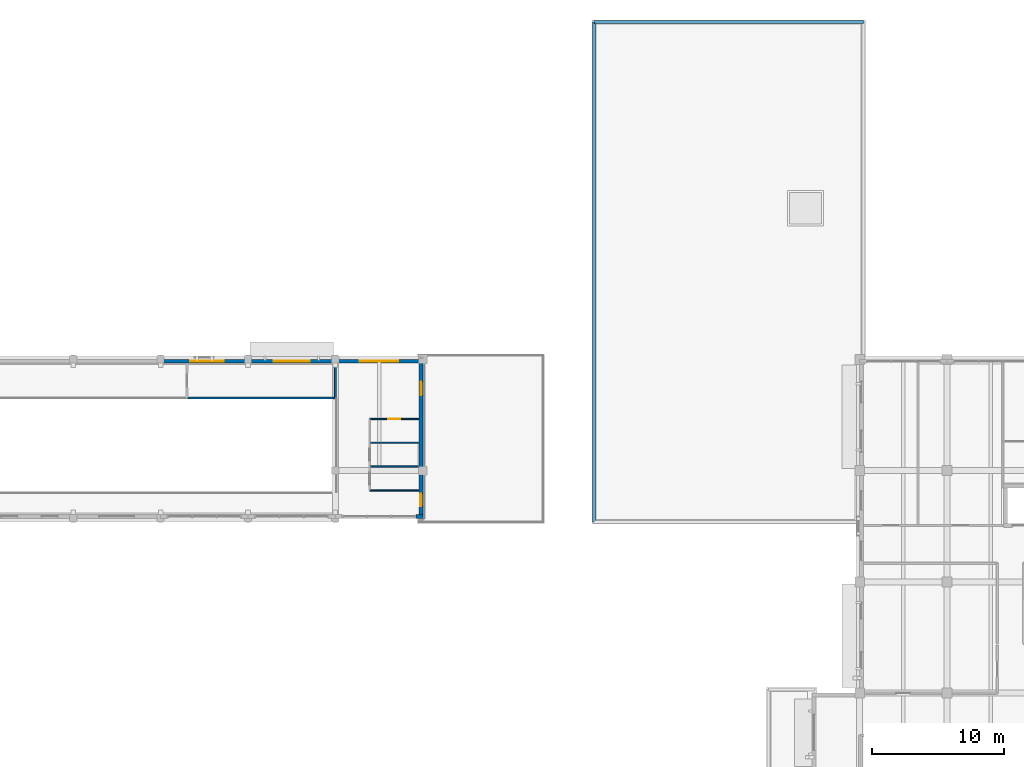
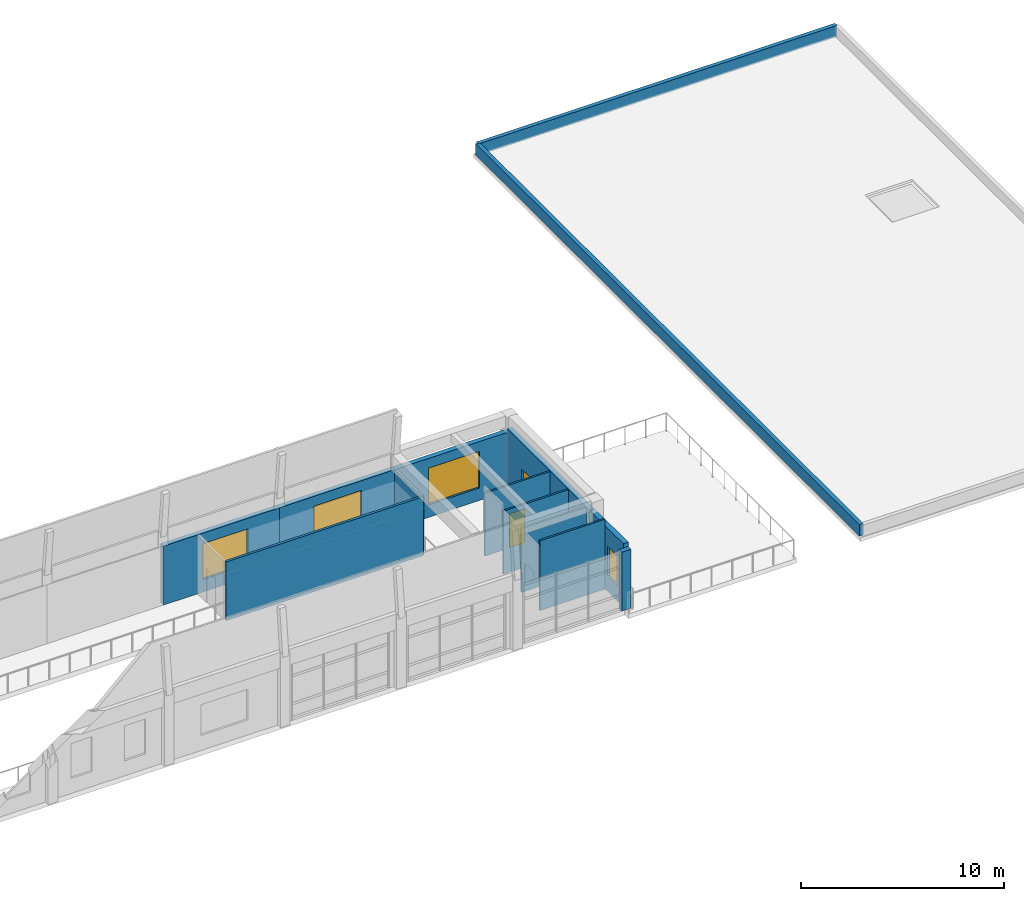
# One storey, part 31 of 50: 14 walls, 4 windows, 2 doors, 6 openings.
"""IFC4 building model written with IfcOpenShell, lengths in metres."""

import ifcopenshell
import ifcopenshell.guid

model = None  # the IFC model being written
_history = None  # IfcOwnerHistory: only IFC2X3 demands one
_inside = {}  # id of a spatial element -> (the spatial element, [elements in it])
_under = {}  # id of a project, library or spatial element -> (it, [spatial elements below it])
_declared = {}  # id of a project -> (the project, [libraries it declares])
_typed = {}  # id of a type object -> (the type object, [elements of that type])
_made_of = {}  # id of a material, layer set ... -> (it, [elements and type objects made of it])


def new_model(schema):
    """Start an empty IFC model of exactly this schema.

    Asked for "IFC4X3", IfcOpenShell would pick the latest addendum, in which some entities
    have other attributes; the version numbers below select the first issue.
    IFC2X3 requires an IfcOwnerHistory on every rooted entity: one is made here for all.
    """
    global model, _history
    if schema == "IFC4X3":
        model = ifcopenshell.file(schema_version=(4, 3, 0, 0))
    else:
        model = ifcopenshell.file(schema=schema)
    _inside.clear()
    _under.clear()
    _declared.clear()
    _typed.clear()
    _made_of.clear()
    _history = None
    if model.schema == "IFC2X3":
        org = make("IfcOrganization", Name="unknown")
        user = make(
            "IfcPersonAndOrganization",
            ThePerson=make("IfcPerson", FamilyName="unknown"),
            TheOrganization=org,
        )
        app = make(
            "IfcApplication",
            ApplicationDeveloper=org,
            Version="unknown",
            ApplicationFullName="unknown",
            ApplicationIdentifier="unknown",
        )
        _history = make(
            "IfcOwnerHistory",
            OwningUser=user,
            OwningApplication=app,
            ChangeAction="ADDED",
            CreationDate=0,
        )
    return model


def make(cls, **values):
    """One entity of the class cls with the attributes given. An attribute that is None is left unset."""
    return model.create_entity(
        cls, **{name: value for name, value in values.items() if value is not None}
    )


def rooted(cls, **values):
    """An entity with a GlobalId (a new one), such as an element, a storey or a relation."""
    return make(cls, GlobalId=ifcopenshell.guid.new(), OwnerHistory=_history, **values)


def si_unit(unit_type, name, prefix=None):
    """IfcSIUnit, for example si_unit("LENGTHUNIT", "METRE", prefix="MILLI")."""
    return make("IfcSIUnit", UnitType=unit_type, Prefix=prefix, Name=name)


def assignment(units):
    """IfcUnitAssignment: the units of a project."""
    return None if units is None else make("IfcUnitAssignment", Units=units)


def point(xyz):
    """IfcCartesianPoint."""
    return None if xyz is None else make("IfcCartesianPoint", Coordinates=xyz)


def direction(xyz):
    """IfcDirection."""
    return None if xyz is None else make("IfcDirection", DirectionRatios=xyz)


def frame(location, z_axis=None, x_axis=None):
    """IfcAxis2Placement3D, a coordinate frame: its origin and axes. An axis left out is left unset."""
    return make(
        "IfcAxis2Placement3D",
        Location=point(location),
        Axis=direction(z_axis),
        RefDirection=direction(x_axis),
    )


def frame_2d(location, x_axis=None):
    """IfcAxis2Placement2D, a coordinate frame in the plane: its origin and x axis."""
    return make(
        "IfcAxis2Placement2D", Location=point(location), RefDirection=direction(x_axis)
    )


def origin():
    """The frame at (0, 0, 0) with its axes left unset."""
    return frame((0.0, 0.0, 0.0))


def place(relative_to, where):
    """IfcLocalPlacement: puts the frame where relative to a parent placement (None: the world)."""
    return make(
        "IfcLocalPlacement", PlacementRelTo=relative_to, RelativePlacement=where
    )


def context(
    kind, dimensions, precision=None, world=None, true_north=None, identifier=None
):
    """IfcGeometricRepresentationContext, for example the 3D "Model" context."""
    return make(
        "IfcGeometricRepresentationContext",
        ContextIdentifier=identifier,
        ContextType=kind,
        CoordinateSpaceDimension=dimensions,
        Precision=precision,
        WorldCoordinateSystem=world,
        TrueNorth=true_north,
    )


def subcontext(parent, identifier, kind, view, scale=None):
    """IfcGeometricRepresentationSubContext, for example "Body" below "Model"."""
    return make(
        "IfcGeometricRepresentationSubContext",
        ContextIdentifier=identifier,
        ContextType=kind,
        ParentContext=parent,
        TargetScale=scale,
        TargetView=view,
    )


def project(units=None, contexts=None):
    """IfcProject with its units and contexts."""
    return rooted(
        "IfcProject",
        Name="project",
        RepresentationContexts=contexts,
        UnitsInContext=assignment(units),
    )


def spatial(cls, under=None, at=None, **own):
    """A site, building, storey or space (cls), placed at a placement, below another one or the project."""
    s = rooted(cls, ObjectPlacement=at, **own)
    if under is not None:
        _under.setdefault(under.id(), (under, []))[1].append(s)
    return s


def profile(cls, at=None, kind="AREA", **sizes):
    """A parametric profile (cls). Its sizes go by their IFC names, for example OverallWidth=200.0."""
    return make(cls, ProfileType=kind, Position=at, **sizes)


def rectangle(**sizes):
    """IfcRectangleProfileDef."""
    return profile("IfcRectangleProfileDef", **sizes)


def extrude(swept, where, along, depth):
    """IfcExtrudedAreaSolid: the profile swept, set in the frame where, extruded along a direction by depth."""
    return make(
        "IfcExtrudedAreaSolid",
        SweptArea=swept,
        Position=where,
        ExtrudedDirection=direction(along),
        Depth=depth,
    )


def shape(context_of_items, identifier, shape_type, items):
    """IfcShapeRepresentation: the items that make up one representation, for example the "Body"."""
    return make(
        "IfcShapeRepresentation",
        ContextOfItems=context_of_items,
        RepresentationIdentifier=identifier,
        RepresentationType=shape_type,
        Items=items,
    )


def material(Name=None, Category=None):
    """IfcMaterial."""
    return make("IfcMaterial", Name=Name, Category=Category)


def layer(
    of_material, thickness, ventilated=None, Name=None, Category=None, Priority=None
):
    """IfcMaterialLayer: one layer of a wall or slab, of a material (None: an air gap)."""
    return make(
        "IfcMaterialLayer",
        Material=of_material,
        LayerThickness=thickness,
        IsVentilated=ventilated,
        Name=Name,
        Category=Category,
        Priority=Priority,
    )


def layer_set(layers, Name=None):
    """IfcMaterialLayerSet."""
    return make("IfcMaterialLayerSet", MaterialLayers=layers, LayerSetName=Name)


def made_of(thing, what):
    """Note that an element or type object is made of a material, layer set ...; save() writes the relation."""
    if what is not None:
        _made_of.setdefault(what.id(), (what, []))[1].append(thing)
    return thing


def type_object(cls, material=None, **own):
    """A type object (cls), such as IfcWallType, which elements share."""
    return made_of(rooted(cls, **own), material)


def element(
    cls,
    number,
    at=None,
    inside=None,
    cuts=None,
    type_object=None,
    material=None,
    context=None,
    identifier="Body",
    shape_type=None,
    held_by="IfcProductDefinitionShape",
    body=None,
    shapes=None,
    **own,
):
    """One element of the class cls, such as IfcWall. Its Tag is "e" and its number.

    at: its placement. inside: the storey or other place that contains it. cuts: it is an
    opening in that element (IfcRelVoidsElement). A single representation is given by context,
    identifier, shape_type and body (its items); several are given by shapes. held_by: the class
    of the entity that holds the representations. save() writes the other relations.
    """
    e = rooted(cls, Tag="e%d" % number, ObjectPlacement=at, **own)
    if body is not None:
        shapes = [shape(context, identifier, shape_type, body)]
    if shapes is not None:
        e.Representation = make(held_by, Representations=shapes)
    if inside is not None:
        _inside.setdefault(inside.id(), (inside, []))[1].append(e)
    if cuts is not None:
        rooted(
            "IfcRelVoidsElement", RelatingBuildingElement=cuts, RelatedOpeningElement=e
        )
    if type_object is not None:
        _typed.setdefault(type_object.id(), (type_object, []))[1].append(e)
    return made_of(e, material)


def fill(opening, filler):
    """IfcRelFillsElement: the door or window that sits in an opening."""
    return rooted(
        "IfcRelFillsElement",
        RelatingOpeningElement=opening,
        RelatedBuildingElement=filler,
    )


def aggregate(whole, parts):
    """IfcRelAggregates: a whole, such as a stair, and the parts it consists of."""
    return rooted("IfcRelAggregates", RelatingObject=whole, RelatedObjects=parts)


def save(model, path):
    """Write the relations noted so far, then the file.

    IfcRelAggregates (storeys below a building ...), IfcRelContainedInSpatialStructure (elements
    in a storey), IfcRelDefinesByType, IfcRelAssociatesMaterial and IfcRelDeclares: one each for
    every whole, place, type object, material and project.
    """
    for whole, parts in _under.values():
        aggregate(whole, parts)
    for where, things in _inside.values():
        rooted(
            "IfcRelContainedInSpatialStructure",
            RelatedElements=things,
            RelatingStructure=where,
        )
    for kind, things in _typed.values():
        rooted("IfcRelDefinesByType", RelatedObjects=things, RelatingType=kind)
    for what, things in _made_of.values():
        rooted("IfcRelAssociatesMaterial", RelatedObjects=things, RelatingMaterial=what)
    for by, libraries in _declared.values():
        rooted("IfcRelDeclares", RelatingContext=by, RelatedDefinitions=libraries)
    model.write(path)


model = new_model("IFC4")

# Units and contexts
model_context = context("Model", 3, precision=1e-05, world=origin(), true_north=direction((0.0, 1.0)))
body_context = subcontext(model_context, "Body", "Model", "MODEL_VIEW")
ifc_project = project(units=[si_unit("LENGTHUNIT", "METRE"), si_unit("AREAUNIT", "SQUARE_METRE"), si_unit("VOLUMEUNIT", "CUBIC_METRE"), si_unit("PLANEANGLEUNIT", "RADIAN"), si_unit("MASSUNIT", "GRAM", prefix="KILO")], contexts=[model_context])

# Site, building, storey
site_placement = place(None, origin())
site = spatial("IfcSite", under=ifc_project, at=site_placement, CompositionType="ELEMENT")
building_placement = place(site_placement, origin())
building = spatial("IfcBuilding", under=site, at=building_placement, Name="Kolvaren Faculty of Natural Sciences", CompositionType="ELEMENT")
storey_placement = place(building_placement, frame((0.0, 0.0, 15.0)))
storey = spatial("IfcBuildingStorey", under=building, at=storey_placement, Name="L03", CompositionType="ELEMENT", Elevation=15.0)

# Walls
ifc_material_1 = material(Name="Acoustic mineral-wool insulated gypsum partition")
ifc_layer_1 = layer(ifc_material_1, 0.139892578125)
ifc_layer_set_1 = layer_set([ifc_layer_1], Name="Acoustic mineral-wool insulated gypsum partition")
wall_type_1 = type_object("IfcWallType", Name="CommonsPartitionWall_140", PredefinedType="PARTITIONING", material=ifc_layer_set_1)
wall_1_placement = place(storey_placement, frame((99.199951171875, 83.91796875, 0.0), z_axis=(0.0, 0.0, 1.0), x_axis=(0.0, -1.0, 0.0)))
element("IfcWall", 1, at=wall_1_placement, inside=storey, type_object=wall_type_1, Name="L03 interior partition PW-140", PredefinedType="PARTITIONING", context=body_context, shape_type="SweptSolid", body=[
    extrude(rectangle(XDim=2.637939453125, YDim=0.139892578125, at=frame_2d((1.31884765625, 0.0))), origin(), (0.0, 0.0, 1.0), 3.534912109375),
])
wall_2_placement = place(storey_placement, frame((99.199951171875, 81.280029296875, 0.0), z_axis=(0.0, 0.0, 1.0), x_axis=(-1.0, 0.0, 0.0)))
element("IfcWall", 2, at=wall_2_placement, inside=storey, type_object=wall_type_1, Name="L03 interior partition PW-140", PredefinedType="PARTITIONING", context=body_context, shape_type="SweptSolid", body=[
    extrude(rectangle(XDim=11.199951171875, YDim=0.139892578125, at=frame_2d((5.60009765625, 0.0))), origin(), (0.0, 0.0, 1.0), 3.534912109375),
])

# Wall, opening, door
ifc_material_2 = material(Name="Precast concrete C35/45", Category="concrete")
ifc_layer_2 = layer(ifc_material_2, 0.280029296875)
ifc_layer_set_2 = layer_set([ifc_layer_2], Name="Precast concrete C35/45")
wall_type_2 = type_object("IfcWallType", Name="ExteriorPrecastWall_280", PredefinedType="STANDARD", material=ifc_layer_set_2)
wall_3_placement = place(storey_placement, frame((105.659912109375, 83.919921875, 0.0), z_axis=(0.0, 0.0, 1.0), x_axis=(0.0, -1.0, 0.0)))
wall_3 = element("IfcWall", 3, at=wall_3_placement, inside=storey, type_object=wall_type_2, Name="L03 exterior masonry wall EW-280 (559)", PredefinedType="STANDARD", context=body_context, shape_type="SweptSolid", body=[
    extrude(rectangle(XDim=8.119873046875, YDim=0.280029296875, at=frame_2d((4.06005859375, 0.0))), origin(), (0.0, 0.0, 1.0), 3.784912109375),
])
opening_1_placement = place(wall_3_placement, frame((1.39501953125, 0.0, 0.0)))
opening_1 = element("IfcOpeningElement", 4, at=opening_1_placement, cuts=wall_3, Name="Opening TD-01", PredefinedType="OPENING", context=body_context, shape_type="SweptSolid", body=[
    extrude(rectangle(XDim=1.050048828125, YDim=2.199951171875, at=frame_2d((0.52490234375, 1.10009765625))), frame((0.0, 0.14990234375, 0.0), z_axis=(0.0, -1.0, 0.0), x_axis=(1.0, 0.0, 0.0)), (0.0, 0.0, 1.0), 0.300048828125),
])
ifc_material_3 = material(Name="Thermally broken anodised aluminium framing", Category="aluminium")
door_type_1 = type_object("IfcDoorType", Name="TerraceGlazedDoor_1050x2200", OperationType="NOTDEFINED", PredefinedType="DOOR", material=ifc_material_3)
door_1_placement = place(opening_1_placement, origin())
door_1 = element("IfcDoor", 5, at=door_1_placement, inside=storey, type_object=door_type_1, Name="D-L03-TR-25", OperationType="SINGLE_SWING_RIGHT", OverallHeight=2.199951171875, OverallWidth=1.050048828125, PredefinedType="DOOR", context=body_context, shape_type="SweptSolid", body=[
    extrude(rectangle(XDim=1.050048828125, YDim=2.199951171875, at=frame_2d((0.52490234375, 1.10009765625))), frame((0.0, 0.02490234375, 0.0), z_axis=(0.0, -1.0, 0.0), x_axis=(1.0, 0.0, 0.0)), (0.0, 0.0, 1.0), 0.050048828125),
])
fill(opening_1, door_1)

# Wall, opening, window
wall_4_placement = place(storey_placement, frame((105.659912109375, 75.800048828125, 0.0), z_axis=(0.0, 0.0, 1.0), x_axis=(0.0, -1.0, 0.0)))
wall_4 = element("IfcWall", 6, at=wall_4_placement, inside=storey, type_object=wall_type_2, Name="L03 exterior masonry wall EW-280 (560)", PredefinedType="STANDARD", context=body_context, shape_type="SweptSolid", body=[
    extrude(rectangle(XDim=3.320068359375, YDim=0.280029296875, at=frame_2d((1.66015625, 0.0))), origin(), (0.0, 0.0, 1.0), 3.784912109375),
])
opening_2_placement = place(wall_4_placement, frame((1.739990234375, 0.0, 0.89990234375)))
opening_2 = element("IfcOpeningElement", 7, at=opening_2_placement, cuts=wall_4, Name="Opening WIN-23", PredefinedType="OPENING", context=body_context, shape_type="SweptSolid", body=[
    extrude(rectangle(XDim=0.949951171875, YDim=1.800048828125, at=frame_2d((0.47509765625, 0.89990234375))), frame((0.0, 0.14990234375, 0.0), z_axis=(0.0, -1.0, 0.0), x_axis=(1.0, 0.0, 0.0)), (0.0, 0.0, 1.0), 0.300048828125),
])
ifc_material_4 = material(Name="Double low-E solar control insulated glazing", Category="glass")
window_type_1 = type_object("IfcWindowType", Name="AluWindow_WIN23_950x1800", PartitioningType="SINGLE_PANEL", PredefinedType="WINDOW", material=ifc_material_4)
window_1_placement = place(opening_2_placement, origin())
window_1 = element("IfcWindow", 8, at=window_1_placement, inside=storey, type_object=window_type_1, Name="WIN-L03-0338", OverallHeight=1.800048828125, OverallWidth=0.949951171875, PartitioningType="SINGLE_PANEL", PredefinedType="WINDOW", context=body_context, shape_type="SweptSolid", body=[
    extrude(rectangle(XDim=0.949951171875, YDim=1.800048828125, at=frame_2d((0.47509765625, 0.89990234375))), frame((0.0, 0.030029296875, 0.0), z_axis=(0.0, -1.0, 0.0), x_axis=(1.0, 0.0, 0.0)), (0.0, 0.0, 1.0), 0.06005859375),
])
fill(opening_2, window_1)

# Wall
wall_5_placement = place(storey_placement, frame((105.800048828125, 72.340087890625, 0.0), z_axis=(0.0, 0.0, 1.0), x_axis=(-1.0, 0.0, 0.0)))
element("IfcWall", 9, at=wall_5_placement, inside=storey, type_object=wall_type_2, Name="L03 curtain-wall pier stub 561", PredefinedType="STANDARD", context=body_context, shape_type="SweptSolid", body=[
    extrude(rectangle(XDim=0.52001953125, YDim=0.280029296875, at=frame_2d((0.260009765625, 0.0))), origin(), (0.0, 0.0, 1.0), 3.534912109375),
])

# Wall, opening, window
wall_6_placement = place(storey_placement, frame((86.0, 84.06005859375, 0.0), z_axis=(0.0, 0.0, 1.0), x_axis=(1.0, 0.0, 0.0)))
wall_6 = element("IfcWall", 10, at=wall_6_placement, inside=storey, type_object=wall_type_2, Name="L03 exterior masonry wall EW-280 (577)", PredefinedType="STANDARD", context=body_context, shape_type="SweptSolid", body=[
    extrude(rectangle(XDim=6.60009765625, YDim=0.280029296875, at=frame_2d((3.300048828125, 0.0))), origin(), (0.0, 0.0, 1.0), 3.534912109375),
])
opening_3_placement = place(wall_6_placement, frame((2.239990234375, 0.0, 0.75)))
opening_3 = element("IfcOpeningElement", 11, at=opening_3_placement, cuts=wall_6, Name="Opening WIN-10", PredefinedType="OPENING", context=body_context, shape_type="SweptSolid", body=[
    extrude(rectangle(XDim=2.550048828125, YDim=2.14990234375, at=frame_2d((1.27490234375, 1.074951171875))), frame((0.0, 0.14990234375, 0.0), z_axis=(0.0, -1.0, 0.0), x_axis=(1.0, 0.0, 0.0)), (0.0, 0.0, 1.0), 0.300048828125),
])
window_type_2 = type_object("IfcWindowType", Name="AluWindow_WIN10_2550x2150", PartitioningType="SINGLE_PANEL", PredefinedType="WINDOW", material=ifc_material_4)
window_2_placement = place(opening_3_placement, origin())
window_2 = element("IfcWindow", 12, at=window_2_placement, inside=storey, type_object=window_type_2, Name="WIN-L03-0351", OverallHeight=2.14990234375, OverallWidth=2.550048828125, PartitioningType="SINGLE_PANEL", PredefinedType="WINDOW", context=body_context, shape_type="SweptSolid", body=[
    extrude(rectangle(XDim=2.550048828125, YDim=2.14990234375, at=frame_2d((1.27490234375, 1.074951171875))), frame((0.0, 0.030029296875, 0.0), z_axis=(0.0, -1.0, 0.0), x_axis=(1.0, 0.0, 0.0)), (0.0, 0.0, 1.0), 0.06005859375),
])
fill(opening_3, window_2)

wall_7_placement = place(storey_placement, frame((92.60009765625, 84.06005859375, 0.0), z_axis=(0.0, 0.0, 1.0), x_axis=(1.0, 0.0, 0.0)))
wall_7 = element("IfcWall", 13, at=wall_7_placement, inside=storey, type_object=wall_type_2, Name="L03 exterior masonry wall EW-280 (578)", PredefinedType="STANDARD", context=body_context, shape_type="SweptSolid", body=[
    extrude(rectangle(XDim=6.599853515625, YDim=0.280029296875, at=frame_2d((3.2998046875, 0.0))), origin(), (0.0, 0.0, 1.0), 3.534912109375),
])
opening_4_placement = place(wall_7_placement, frame((1.949951171875, 0.0, 0.75)))
opening_4 = element("IfcOpeningElement", 14, at=opening_4_placement, cuts=wall_7, Name="Opening WIN-11", PredefinedType="OPENING", context=body_context, shape_type="SweptSolid", body=[
    extrude(rectangle(XDim=2.699951171875, YDim=2.199951171875, at=frame_2d((1.35009765625, 1.10009765625))), frame((0.0, 0.14990234375, 0.0), z_axis=(0.0, -1.0, 0.0), x_axis=(1.0, 0.0, 0.0)), (0.0, 0.0, 1.0), 0.300048828125),
])
window_type_3 = type_object("IfcWindowType", Name="AluWindow_WIN11_2700x2200", PartitioningType="SINGLE_PANEL", PredefinedType="WINDOW", material=ifc_material_4)
window_3_placement = place(opening_4_placement, origin())
window_3 = element("IfcWindow", 15, at=window_3_placement, inside=storey, type_object=window_type_3, Name="WIN-L03-0352", OverallHeight=2.199951171875, OverallWidth=2.699951171875, PartitioningType="SINGLE_PANEL", PredefinedType="WINDOW", context=body_context, shape_type="SweptSolid", body=[
    extrude(rectangle(XDim=2.699951171875, YDim=2.199951171875, at=frame_2d((1.35009765625, 1.10009765625))), frame((0.0, 0.030029296875, 0.0), z_axis=(0.0, -1.0, 0.0), x_axis=(1.0, 0.0, 0.0)), (0.0, 0.0, 1.0), 0.06005859375),
])
fill(opening_4, window_3)

wall_8_placement = place(storey_placement, frame((99.199951171875, 84.06005859375, 0.0), z_axis=(0.0, 0.0, 1.0), x_axis=(1.0, 0.0, 0.0)))
wall_8 = element("IfcWall", 16, at=wall_8_placement, inside=storey, type_object=wall_type_2, Name="L03 exterior masonry wall EW-280 (579)", PredefinedType="STANDARD", context=body_context, shape_type="SweptSolid", body=[
    extrude(rectangle(XDim=6.60009765625, YDim=0.280029296875, at=frame_2d((3.300048828125, 0.0))), origin(), (0.0, 0.0, 1.0), 3.534912109375),
])
opening_5_placement = place(wall_8_placement, frame((1.85009765625, 0.0, 0.75)))
opening_5 = element("IfcOpeningElement", 17, at=opening_5_placement, cuts=wall_8, Name="Opening WIN-12", PredefinedType="OPENING", context=body_context, shape_type="SweptSolid", body=[
    extrude(rectangle(XDim=2.89990234375, YDim=2.199951171875, at=frame_2d((1.449951171875, 1.10009765625))), frame((0.0, 0.14990234375, 0.0), z_axis=(0.0, -1.0, 0.0), x_axis=(1.0, 0.0, 0.0)), (0.0, 0.0, 1.0), 0.300048828125),
])
window_type_4 = type_object("IfcWindowType", Name="AluWindow_WIN12_2900x2200", PartitioningType="SINGLE_PANEL", PredefinedType="WINDOW", material=ifc_material_4)
window_4_placement = place(opening_5_placement, origin())
window_4 = element("IfcWindow", 18, at=window_4_placement, inside=storey, type_object=window_type_4, Name="WIN-L03-0353", OverallHeight=2.199951171875, OverallWidth=2.89990234375, PartitioningType="SINGLE_PANEL", PredefinedType="WINDOW", context=body_context, shape_type="SweptSolid", body=[
    extrude(rectangle(XDim=2.89990234375, YDim=2.199951171875, at=frame_2d((1.449951171875, 1.10009765625))), frame((0.0, 0.030029296875, 0.0), z_axis=(0.0, -1.0, 0.0), x_axis=(1.0, 0.0, 0.0)), (0.0, 0.0, 1.0), 0.06005859375),
])
fill(opening_5, window_4)

# Walls
ifc_layer_3 = layer(ifc_material_2, 0.219970703125)
ifc_layer_set_3 = layer_set([ifc_layer_3], Name="Precast concrete C35/45")
wall_type_3 = type_object("IfcWallType", Name="ParapetUpstandWall_220", PredefinedType="PARAPET", material=ifc_layer_set_3)
wall_9_placement = place(storey_placement, frame((118.719970703125, 71.919921875, 0.0), z_axis=(0.0, 0.0, 1.0), x_axis=(0.0, 1.0, 0.0)))
element("IfcWall", 19, at=wall_9_placement, inside=storey, type_object=wall_type_3, Name="L03 architectural sandstone roof parapet 47", PredefinedType="PARAPET", context=body_context, shape_type="SweptSolid", body=[
    extrude(rectangle(XDim=37.760009765625, YDim=0.219970703125, at=frame_2d((18.8798828125, 0.0))), origin(), (0.0, 0.0, 1.0), 0.679931640625),
])
wall_10_placement = place(storey_placement, frame((118.719970703125, 109.679931640625, 0.0), z_axis=(0.0, 0.0, 1.0), x_axis=(1.0, 0.0, 0.0)))
element("IfcWall", 20, at=wall_10_placement, inside=storey, type_object=wall_type_3, Name="L03 architectural sandstone roof parapet 48", PredefinedType="PARAPET", context=body_context, shape_type="SweptSolid", body=[
    extrude(rectangle(XDim=20.360107421875, YDim=0.219970703125, at=frame_2d((10.18017578125, 0.0))), origin(), (0.0, 0.0, 1.0), 0.679931640625),
])
ifc_layer_4 = layer(ifc_material_1, 0.10498046875)
ifc_layer_set_4 = layer_set([ifc_layer_4], Name="Acoustic mineral-wool insulated gypsum partition")
wall_type_4 = type_object("IfcWallType", Name="WetRoomPartition_105", PredefinedType="PARTITIONING", material=ifc_layer_set_4)
wall_11_placement = place(storey_placement, frame((101.800048828125, 76.10009765625, 0.0), z_axis=(0.0, 0.0, 1.0), x_axis=(1.0, 0.0, 0.0)))
element("IfcWall", 21, at=wall_11_placement, inside=storey, type_object=wall_type_4, Name="L03 interior partition PW-105", PredefinedType="PARTITIONING", context=body_context, shape_type="SweptSolid", body=[
    extrude(rectangle(XDim=3.675048828125, YDim=0.10498046875, at=frame_2d((1.83740234375, 0.0))), origin(), (0.0, 0.0, 1.0), 3.8349609375),
])
wall_12_placement = place(storey_placement, frame((105.5, 74.300048828125, 0.0), z_axis=(0.0, 0.0, 1.0), x_axis=(-1.0, 0.0, 0.0)))
element("IfcWall", 22, at=wall_12_placement, inside=storey, type_object=wall_type_4, Name="L03 interior partition PW-105", PredefinedType="PARTITIONING", context=body_context, shape_type="SweptSolid", body=[
    extrude(rectangle(XDim=3.699951171875, YDim=0.10498046875, at=frame_2d((1.85009765625, 0.0))), origin(), (0.0, 0.0, 1.0), 4.195068359375),
])
wall_13_placement = place(storey_placement, frame((101.800048828125, 77.89990234375, 0.0), z_axis=(0.0, 0.0, 1.0), x_axis=(1.0, 0.0, 0.0)))
element("IfcWall", 23, at=wall_13_placement, inside=storey, type_object=wall_type_4, Name="L03 interior partition PW-105", PredefinedType="PARTITIONING", context=body_context, shape_type="SweptSolid", body=[
    extrude(rectangle(XDim=3.699951171875, YDim=0.10498046875, at=frame_2d((1.85009765625, 0.0))), origin(), (0.0, 0.0, 1.0), 3.784912109375),
])

# Wall, opening, door
wall_14_placement = place(storey_placement, frame((101.800048828125, 79.699951171875, 0.0), z_axis=(0.0, 0.0, 1.0), x_axis=(1.0, 0.0, 0.0)))
wall_14 = element("IfcWall", 24, at=wall_14_placement, inside=storey, type_object=wall_type_4, Name="L03 interior partition PW-105", PredefinedType="PARTITIONING", context=body_context, shape_type="SweptSolid", body=[
    extrude(rectangle(XDim=3.699951171875, YDim=0.10498046875, at=frame_2d((1.85009765625, 0.0))), origin(), (0.0, 0.0, 1.0), 3.784912109375),
])
opening_6_placement = place(wall_14_placement, frame((1.39990234375, 0.0, 0.0)))
opening_6 = element("IfcOpeningElement", 25, at=opening_6_placement, cuts=wall_14, Name="Opening ID-01", PredefinedType="OPENING", context=body_context, shape_type="SweptSolid", body=[
    extrude(rectangle(XDim=0.89990234375, YDim=2.02001953125, at=frame_2d((0.449951171875, 1.010009765625))), frame((0.0, 0.0625, 0.0), z_axis=(0.0, -1.0, 0.0), x_axis=(1.0, 0.0, 0.0)), (0.0, 0.0, 1.0), 0.125),
])
ifc_material_5 = material(Name="Solid-core hardwood veneer door leaf in steel frame", Category="steel")
door_type_2 = type_object("IfcDoorType", Name="InteriorRoomDoor_900x2020", OperationType="NOTDEFINED", PredefinedType="DOOR", material=ifc_material_5)
door_2_placement = place(opening_6_placement, origin())
door_2 = element("IfcDoor", 26, at=door_2_placement, inside=storey, type_object=door_type_2, Name="D-L03-0233", OperationType="SINGLE_SWING_RIGHT", OverallHeight=2.02001953125, OverallWidth=0.89990234375, PredefinedType="DOOR", context=body_context, shape_type="SweptSolid", body=[
    extrude(rectangle(XDim=0.89990234375, YDim=2.02001953125, at=frame_2d((0.449951171875, 1.010009765625))), frame((0.0, 0.02490234375, 0.0), z_axis=(0.0, -1.0, 0.0), x_axis=(1.0, 0.0, 0.0)), (0.0, 0.0, 1.0), 0.050048828125),
])
fill(opening_6, door_2)

save(model, "model.ifc")
